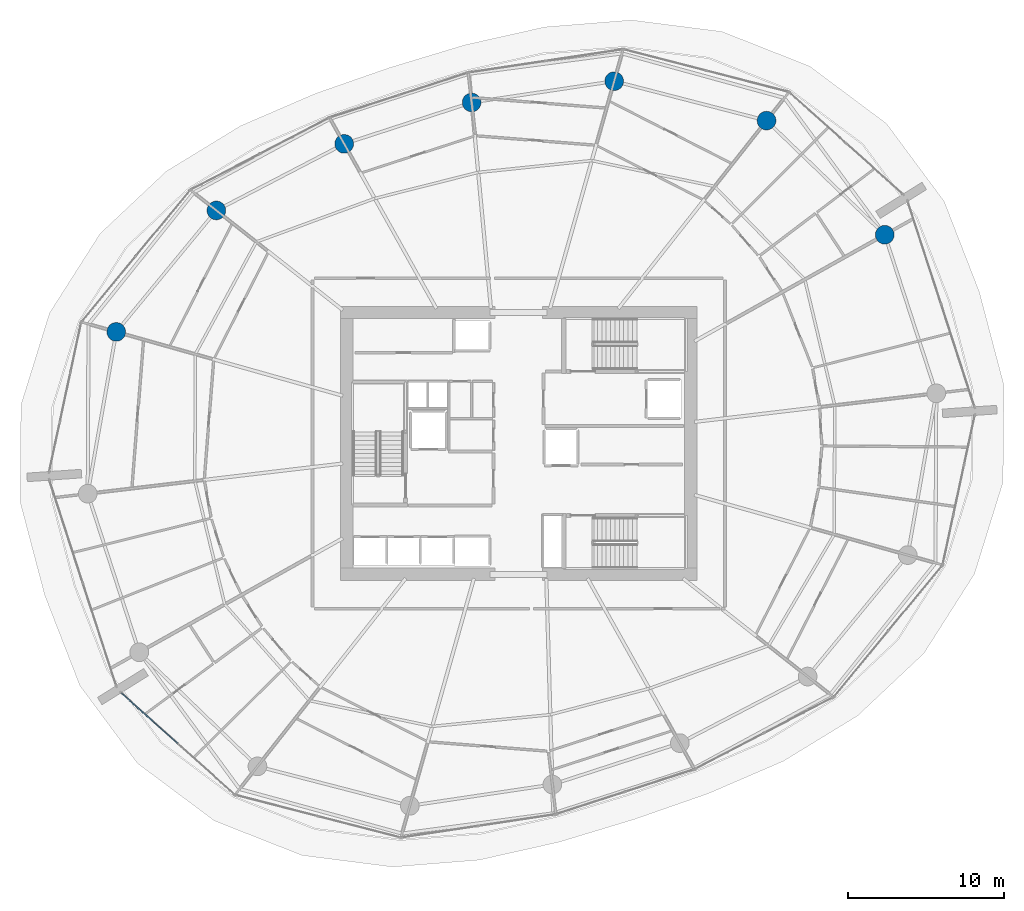
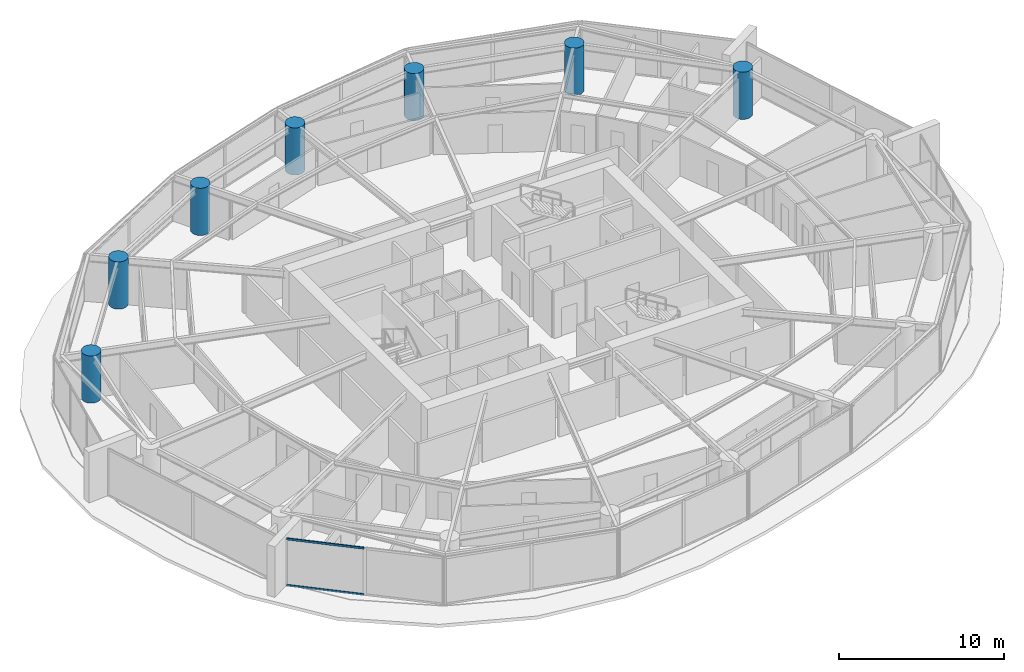
# One storey, part 4 of 17: 7 columns, 2 members, 1 element without a shape of its own.
"""IFC4 building model written with IfcOpenShell, lengths in metres."""

import ifcopenshell
import ifcopenshell.guid

model = None  # the IFC model being written
_history = None  # IfcOwnerHistory: only IFC2X3 demands one
_inside = {}  # id of a spatial element -> (the spatial element, [elements in it])
_under = {}  # id of a project, library or spatial element -> (it, [spatial elements below it])
_declared = {}  # id of a project -> (the project, [libraries it declares])
_typed = {}  # id of a type object -> (the type object, [elements of that type])
_made_of = {}  # id of a material, layer set ... -> (it, [elements and type objects made of it])


def new_model(schema):
    """Start an empty IFC model of exactly this schema.

    Asked for "IFC4X3", IfcOpenShell would pick the latest addendum, in which some entities
    have other attributes; the version numbers below select the first issue.
    IFC2X3 requires an IfcOwnerHistory on every rooted entity: one is made here for all.
    """
    global model, _history
    if schema == "IFC4X3":
        model = ifcopenshell.file(schema_version=(4, 3, 0, 0))
    else:
        model = ifcopenshell.file(schema=schema)
    _inside.clear()
    _under.clear()
    _declared.clear()
    _typed.clear()
    _made_of.clear()
    _history = None
    if model.schema == "IFC2X3":
        org = make("IfcOrganization", Name="unknown")
        user = make(
            "IfcPersonAndOrganization",
            ThePerson=make("IfcPerson", FamilyName="unknown"),
            TheOrganization=org,
        )
        app = make(
            "IfcApplication",
            ApplicationDeveloper=org,
            Version="unknown",
            ApplicationFullName="unknown",
            ApplicationIdentifier="unknown",
        )
        _history = make(
            "IfcOwnerHistory",
            OwningUser=user,
            OwningApplication=app,
            ChangeAction="ADDED",
            CreationDate=0,
        )
    return model


def make(cls, **values):
    """One entity of the class cls with the attributes given. An attribute that is None is left unset."""
    return model.create_entity(
        cls, **{name: value for name, value in values.items() if value is not None}
    )


def rooted(cls, **values):
    """An entity with a GlobalId (a new one), such as an element, a storey or a relation."""
    return make(cls, GlobalId=ifcopenshell.guid.new(), OwnerHistory=_history, **values)


def si_unit(unit_type, name, prefix=None):
    """IfcSIUnit, for example si_unit("LENGTHUNIT", "METRE", prefix="MILLI")."""
    return make("IfcSIUnit", UnitType=unit_type, Prefix=prefix, Name=name)


def assignment(units):
    """IfcUnitAssignment: the units of a project."""
    return None if units is None else make("IfcUnitAssignment", Units=units)


def point(xyz):
    """IfcCartesianPoint."""
    return None if xyz is None else make("IfcCartesianPoint", Coordinates=xyz)


def direction(xyz):
    """IfcDirection."""
    return None if xyz is None else make("IfcDirection", DirectionRatios=xyz)


def frame(location, z_axis=None, x_axis=None):
    """IfcAxis2Placement3D, a coordinate frame: its origin and axes. An axis left out is left unset."""
    return make(
        "IfcAxis2Placement3D",
        Location=point(location),
        Axis=direction(z_axis),
        RefDirection=direction(x_axis),
    )


def frame_2d(location, x_axis=None):
    """IfcAxis2Placement2D, a coordinate frame in the plane: its origin and x axis."""
    return make(
        "IfcAxis2Placement2D", Location=point(location), RefDirection=direction(x_axis)
    )


def origin():
    """The frame at (0, 0, 0) with its axes left unset."""
    return frame((0.0, 0.0, 0.0))


def origin_2d():
    """The frame at (0, 0) in the plane with its x axis left unset."""
    return frame_2d((0.0, 0.0))


def place(relative_to, where):
    """IfcLocalPlacement: puts the frame where relative to a parent placement (None: the world)."""
    return make(
        "IfcLocalPlacement", PlacementRelTo=relative_to, RelativePlacement=where
    )


def context(
    kind, dimensions, precision=None, world=None, true_north=None, identifier=None
):
    """IfcGeometricRepresentationContext, for example the 3D "Model" context."""
    return make(
        "IfcGeometricRepresentationContext",
        ContextIdentifier=identifier,
        ContextType=kind,
        CoordinateSpaceDimension=dimensions,
        Precision=precision,
        WorldCoordinateSystem=world,
        TrueNorth=true_north,
    )


def subcontext(parent, identifier, kind, view, scale=None):
    """IfcGeometricRepresentationSubContext, for example "Body" below "Model"."""
    return make(
        "IfcGeometricRepresentationSubContext",
        ContextIdentifier=identifier,
        ContextType=kind,
        ParentContext=parent,
        TargetScale=scale,
        TargetView=view,
    )


def project(units=None, contexts=None):
    """IfcProject with its units and contexts."""
    return rooted(
        "IfcProject",
        Name="project",
        RepresentationContexts=contexts,
        UnitsInContext=assignment(units),
    )


def spatial(cls, under=None, at=None, **own):
    """A site, building, storey or space (cls), placed at a placement, below another one or the project."""
    s = rooted(cls, ObjectPlacement=at, **own)
    if under is not None:
        _under.setdefault(under.id(), (under, []))[1].append(s)
    return s


def profile(cls, at=None, kind="AREA", **sizes):
    """A parametric profile (cls). Its sizes go by their IFC names, for example OverallWidth=200.0."""
    return make(cls, ProfileType=kind, Position=at, **sizes)


def rectangle(**sizes):
    """IfcRectangleProfileDef."""
    return profile("IfcRectangleProfileDef", **sizes)


def circle(**sizes):
    """IfcCircleProfileDef."""
    return profile("IfcCircleProfileDef", **sizes)


def extrude(swept, where, along, depth):
    """IfcExtrudedAreaSolid: the profile swept, set in the frame where, extruded along a direction by depth."""
    return make(
        "IfcExtrudedAreaSolid",
        SweptArea=swept,
        Position=where,
        ExtrudedDirection=direction(along),
        Depth=depth,
    )


def shape(context_of_items, identifier, shape_type, items):
    """IfcShapeRepresentation: the items that make up one representation, for example the "Body"."""
    return make(
        "IfcShapeRepresentation",
        ContextOfItems=context_of_items,
        RepresentationIdentifier=identifier,
        RepresentationType=shape_type,
        Items=items,
    )


def material(Name=None, Category=None):
    """IfcMaterial."""
    return make("IfcMaterial", Name=Name, Category=Category)


def layer(
    of_material, thickness, ventilated=None, Name=None, Category=None, Priority=None
):
    """IfcMaterialLayer: one layer of a wall or slab, of a material (None: an air gap)."""
    return make(
        "IfcMaterialLayer",
        Material=of_material,
        LayerThickness=thickness,
        IsVentilated=ventilated,
        Name=Name,
        Category=Category,
        Priority=Priority,
    )


def layer_set(layers, Name=None):
    """IfcMaterialLayerSet."""
    return make("IfcMaterialLayerSet", MaterialLayers=layers, LayerSetName=Name)


def material_profile(
    of_material, cross_section, Name=None, Category=None, Priority=None
):
    """IfcMaterialProfile: a cross section and its material."""
    return make(
        "IfcMaterialProfile",
        Name=Name,
        Material=of_material,
        Profile=cross_section,
        Priority=Priority,
        Category=Category,
    )


def profile_set(profiles, Name=None, composite=None):
    """IfcMaterialProfileSet."""
    return make(
        "IfcMaterialProfileSet",
        Name=Name,
        MaterialProfiles=profiles,
        CompositeProfile=composite,
    )


def made_of(thing, what):
    """Note that an element or type object is made of a material, layer set ...; save() writes the relation."""
    if what is not None:
        _made_of.setdefault(what.id(), (what, []))[1].append(thing)
    return thing


def type_object(cls, material=None, **own):
    """A type object (cls), such as IfcWallType, which elements share."""
    return made_of(rooted(cls, **own), material)


def element(
    cls,
    number,
    at=None,
    inside=None,
    cuts=None,
    type_object=None,
    material=None,
    context=None,
    identifier="Body",
    shape_type=None,
    held_by="IfcProductDefinitionShape",
    body=None,
    shapes=None,
    **own,
):
    """One element of the class cls, such as IfcWall. Its Tag is "e" and its number.

    at: its placement. inside: the storey or other place that contains it. cuts: it is an
    opening in that element (IfcRelVoidsElement). A single representation is given by context,
    identifier, shape_type and body (its items); several are given by shapes. held_by: the class
    of the entity that holds the representations. save() writes the other relations.
    """
    e = rooted(cls, Tag="e%d" % number, ObjectPlacement=at, **own)
    if body is not None:
        shapes = [shape(context, identifier, shape_type, body)]
    if shapes is not None:
        e.Representation = make(held_by, Representations=shapes)
    if inside is not None:
        _inside.setdefault(inside.id(), (inside, []))[1].append(e)
    if cuts is not None:
        rooted(
            "IfcRelVoidsElement", RelatingBuildingElement=cuts, RelatedOpeningElement=e
        )
    if type_object is not None:
        _typed.setdefault(type_object.id(), (type_object, []))[1].append(e)
    return made_of(e, material)


def aggregate(whole, parts):
    """IfcRelAggregates: a whole, such as a stair, and the parts it consists of."""
    return rooted("IfcRelAggregates", RelatingObject=whole, RelatedObjects=parts)


def save(model, path):
    """Write the relations noted so far, then the file.

    IfcRelAggregates (storeys below a building ...), IfcRelContainedInSpatialStructure (elements
    in a storey), IfcRelDefinesByType, IfcRelAssociatesMaterial and IfcRelDeclares: one each for
    every whole, place, type object, material and project.
    """
    for whole, parts in _under.values():
        aggregate(whole, parts)
    for where, things in _inside.values():
        rooted(
            "IfcRelContainedInSpatialStructure",
            RelatedElements=things,
            RelatingStructure=where,
        )
    for kind, things in _typed.values():
        rooted("IfcRelDefinesByType", RelatedObjects=things, RelatingType=kind)
    for what, things in _made_of.values():
        rooted("IfcRelAssociatesMaterial", RelatedObjects=things, RelatingMaterial=what)
    for by, libraries in _declared.values():
        rooted("IfcRelDeclares", RelatingContext=by, RelatedDefinitions=libraries)
    model.write(path)


model = new_model("IFC4")

# Units and contexts
model_context = context("Model", 3, precision=1e-05, world=origin(), true_north=direction((0.0, 1.0)))
body_context = subcontext(model_context, "Body", "Model", "MODEL_VIEW")
ifc_project = project(units=[si_unit("LENGTHUNIT", "METRE"), si_unit("AREAUNIT", "SQUARE_METRE"), si_unit("VOLUMEUNIT", "CUBIC_METRE"), si_unit("PLANEANGLEUNIT", "RADIAN"), si_unit("MASSUNIT", "GRAM", prefix="KILO")], contexts=[model_context])

# Site, building, storey
site_placement = place(None, origin())
site = spatial("IfcSite", under=ifc_project, at=site_placement, CompositionType="ELEMENT")
building_placement = place(site_placement, origin())
building = spatial("IfcBuilding", under=site, at=building_placement, Name="Kazma Halo Residences", CompositionType="ELEMENT")
storey_placement = place(building_placement, frame((0.0, 0.0, 75.14990234375)))
storey = spatial("IfcBuildingStorey", under=building, at=storey_placement, Name="L18", CompositionType="ELEMENT", Elevation=75.14990234375)

# Columns
ifc_material_1 = material(Name="Concrete C80/95", Category="concrete")
ifc_material_profile_1 = material_profile(ifc_material_1, circle(Radius=0.60009765625, at=origin_2d()), Name="CIRC1200")
ifc_profile_set_1 = profile_set([ifc_material_profile_1], Name="Concrete C80/95")
column_type = type_object("IfcColumnType", Name="COL-PERIM-1200", PredefinedType="COLUMN", material=ifc_profile_set_1)
for number, where, z_axis, x_axis, name in (
    (1, (71.9033203125, 55.386474609375, 0.0), (0.0, 0.0, 1.0), (1.0, 0.0, 0.0), "L18 perimeter ring column P01"),
    (2, (64.323486328125, 62.706298828125, 0.0), (0.0, 0.0, 1.0), (1.0, 0.0, 0.0), "L18 perimeter ring column P02"),
    (3, (54.552734375, 65.234130859375, 0.0), (0.0, 0.0, 1.0), (1.0, 0.0, 0.0), "L18 perimeter ring column P03"),
    (4, (45.41162109375, 63.869140625, 0.0), (0.0, 0.0, 1.0), (1.0, 0.0, 0.0), "L18 perimeter ring column P04"),
    (5, (37.23974609375, 61.2138671875, 0.0), (0.0, 0.0, 1.0), (1.0, 0.0, 0.0), "L18 perimeter ring column P05"),
    (6, (29.0419921875, 56.9453125, 0.0), (0.0, 0.0, 1.0), (1.0, 0.0, 0.0), "L18 perimeter ring column P06"),
    (7, (22.623291015625, 49.156982421875, 0.0), (0.0, 0.0, 1.0), (1.0, 0.0, 0.0), "L18 perimeter ring column P07"),
):
    element("IfcColumn", number, at=place(storey_placement, frame(where, z_axis=z_axis, x_axis=x_axis)), inside=storey, type_object=column_type, Name=name, PredefinedType="COLUMN", context=body_context, shape_type="SweptSolid", body=[
        extrude(circle(Radius=0.60009765625, at=origin_2d()), origin(), (0.0, 0.0, 1.0), 3.5),
    ])

# Curtain wall, members
ifc_material_2 = material(Name="Aluminium AW-6063 T6 and Triple-Silver Low-E Glass", Category="aluminium")
ifc_layer = layer(ifc_material_2, 0.199951171875)
ifc_layer_set = layer_set([ifc_layer], Name="Aluminium AW-6063 T6 and Triple-Silver Low-E Glass")
curtain_wall_type = type_object("IfcCurtainWallType", Name="CW-SYS-3", PredefinedType="NOTDEFINED", material=ifc_layer_set)
curtain_wall_placement = place(storey_placement, origin())
curtain_wall = element("IfcCurtainWall", 8, at=curtain_wall_placement, inside=storey, type_object=curtain_wall_type, Name="L18 unitised curtain wall B09", PredefinedType="NOTDEFINED")
ifc_material_3 = material(Name="Aluminium AW-6063 T6", Category="aluminium")
ifc_material_profile_2 = material_profile(ifc_material_3, rectangle(XDim=0.070068359375, YDim=0.14990234375, at=origin_2d()), Name="CWT-70x150")
ifc_profile_set_2 = profile_set([ifc_material_profile_2], Name="Aluminium AW-6063 T6")
member_type = type_object("IfcMemberType", Name="CW-SYS-3-TRN", PredefinedType="USERDEFINED", material=ifc_profile_set_2)
member_1_placement = place(storey_placement, frame((22.954833984375, 25.995361328125, 0.03515625), z_axis=(0.744338471453, -0.667802545603, 0.0), x_axis=(0.667802545603, 0.744338471453, 0.0)))
member_1 = element("IfcMember", 9, at=member_1_placement, type_object=member_type, Name="CWS-3 transom 1.1", ObjectType="TRANSOM", PredefinedType="USERDEFINED", context=body_context, shape_type="SweptSolid", body=[
    extrude(rectangle(XDim=0.070068359375, YDim=0.14990234375, at=origin_2d()), origin(), (0.0, 0.0, 1.0), 4.81982421875),
])
member_2_placement = place(storey_placement, frame((22.954833984375, 25.995361328125, 3.465087890625), z_axis=(0.744338471453, -0.667802545603, 0.0), x_axis=(0.667802545603, 0.744338471453, 0.0)))
member_2 = element("IfcMember", 10, at=member_2_placement, type_object=member_type, Name="CWS-3 transom 1.2", ObjectType="TRANSOM", PredefinedType="USERDEFINED", context=body_context, shape_type="SweptSolid", body=[
    extrude(rectangle(XDim=0.070068359375, YDim=0.14990234375, at=origin_2d()), origin(), (0.0, 0.0, 1.0), 4.81982421875),
])
aggregate(curtain_wall, [member_1, member_2])

save(model, "model.ifc")
